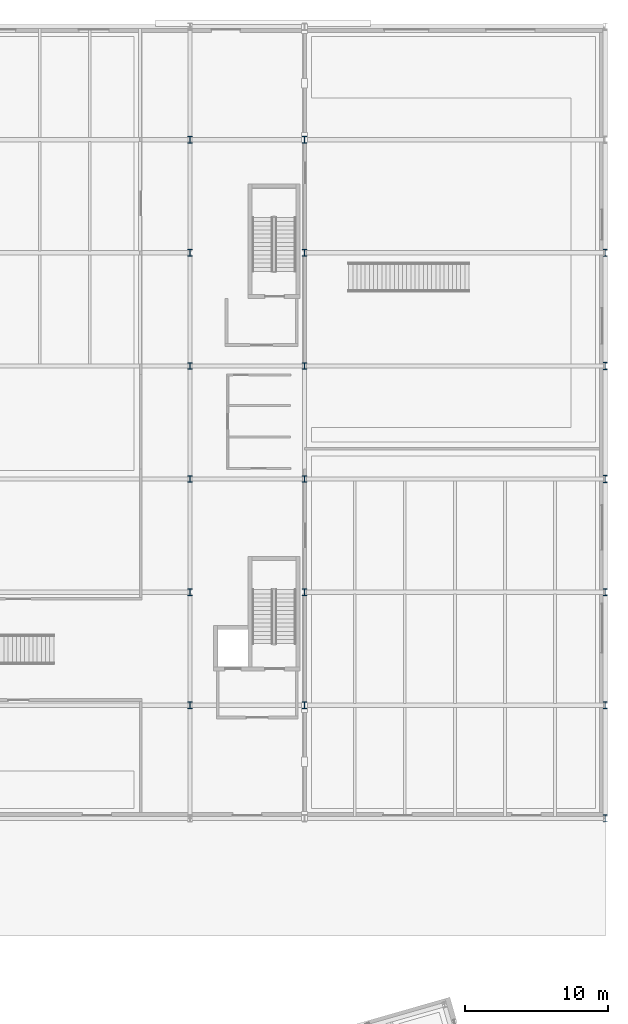
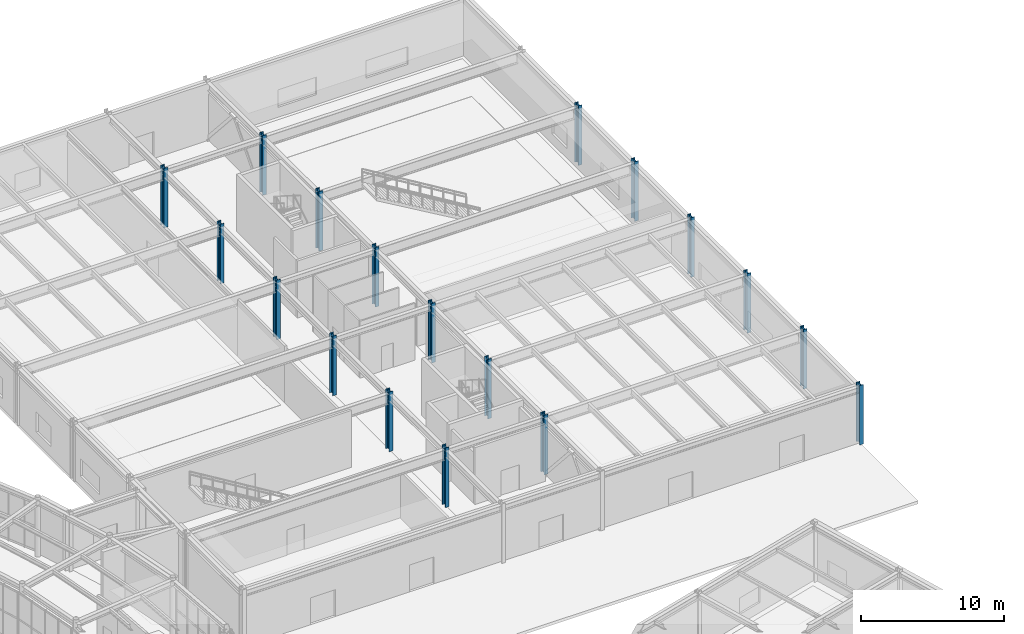
# One storey, part 16 of 97: 18 columns.
"""IFC4 building model written with IfcOpenShell, lengths in metres."""

from ifc_helpers import new_model, si_unit, direction, frame, origin, origin_2d, place, context, subcontext, project, spatial, i_section, extrude, material, material_profile, profile_set, type_object, element, save


model = new_model("IFC4")

# Units and contexts
model_context = context("Model", 3, precision=1e-05, world=origin(), true_north=direction((0.0, 1.0)))
body_context = subcontext(model_context, "Body", "Model", "MODEL_VIEW")
ifc_project = project(units=[si_unit("LENGTHUNIT", "METRE"), si_unit("AREAUNIT", "SQUARE_METRE"), si_unit("VOLUMEUNIT", "CUBIC_METRE"), si_unit("PLANEANGLEUNIT", "RADIAN"), si_unit("MASSUNIT", "GRAM", prefix="KILO")], contexts=[model_context])

# Site, building, storey
site_placement = place(None, origin())
site = spatial("IfcSite", under=ifc_project, at=site_placement, CompositionType="ELEMENT")
building_placement = place(site_placement, origin())
building = spatial("IfcBuilding", under=site, at=building_placement, Name="Varnklinge Art Gallery", CompositionType="ELEMENT")
storey_placement = place(building_placement, origin())
storey = spatial("IfcBuildingStorey", under=building, at=storey_placement, Name="L00", CompositionType="ELEMENT", Elevation=0.0)

# Columns
ifc_material_1 = material(Name="Steel S355", Category="steel")
ifc_material_profile_1 = material_profile(ifc_material_1, i_section(OverallWidth=0.306884765625, OverallDepth=0.47802734375, WebThickness=0.02099609375, FlangeThickness=0.0400390625, FilletRadius=0.027099609375, at=origin_2d()), Name="HEM 450")
ifc_profile_set_1 = profile_set([ifc_material_profile_1], Name="Steel S355")
column_type_1 = type_object("IfcColumnType", Name="COL-02", PredefinedType="COLUMN", material=ifc_profile_set_1)
for number, where, z_axis, x_axis, name in (
    (1, (135.39990234375, 66.10009765625, 0.0), (0.0, 0.0, 1.0), (1.0, 0.0, 0.0), "L00 Column V1C-2-2"),
    (2, (135.39990234375, 74.0, 0.0), (0.0, 0.0, 1.0), (1.0, 0.0, 0.0), "L00 Column V1C-2-3"),
    (3, (135.39990234375, 81.89990234375, 0.0), (0.0, 0.0, 1.0), (1.0, 0.0, 0.0), "L00 Column V1C-2-4"),
    (4, (135.39990234375, 89.800048828125, 0.0), (0.0, 0.0, 1.0), (1.0, 0.0, 0.0), "L00 Column V1C-2-5"),
    (5, (135.39990234375, 97.699951171875, 0.0), (0.0, 0.0, 1.0), (1.0, 0.0, 0.0), "L00 Column V1C-2-6"),
    (6, (135.39990234375, 105.60009765625, 0.0), (0.0, 0.0, 1.0), (1.0, 0.0, 0.0), "L00 Column V1C-2-7"),
    (7, (143.39990234375, 66.10009765625, 0.0), (0.0, 0.0, 1.0), (1.0, 0.0, 0.0), "L00 Column V1C-3-2"),
    (8, (143.39990234375, 74.0, 0.0), (0.0, 0.0, 1.0), (1.0, 0.0, 0.0), "L00 Column V1C-3-3"),
    (9, (143.39990234375, 81.89990234375, 0.0), (0.0, 0.0, 1.0), (1.0, 0.0, 0.0), "L00 Column V1C-3-4"),
    (10, (143.39990234375, 89.800048828125, 0.0), (0.0, 0.0, 1.0), (1.0, 0.0, 0.0), "L00 Column V1C-3-5"),
    (11, (143.39990234375, 97.699951171875, 0.0), (0.0, 0.0, 1.0), (1.0, 0.0, 0.0), "L00 Column V1C-3-6"),
    (12, (143.39990234375, 105.60009765625, 0.0), (0.0, 0.0, 1.0), (1.0, 0.0, 0.0), "L00 Column V1C-3-7"),
):
    element("IfcColumn", number, at=place(storey_placement, frame(where, z_axis=z_axis, x_axis=x_axis)), inside=storey, type_object=column_type_1, Name=name, PredefinedType="COLUMN", context=body_context, shape_type="SweptSolid", body=[
        extrude(i_section(OverallWidth=0.306884765625, OverallDepth=0.47802734375, WebThickness=0.02099609375, FlangeThickness=0.0400390625, FilletRadius=0.027099609375, at=origin_2d()), origin(), (0.0, 0.0, 1.0), 5.10009765625),
    ])
ifc_material_2 = material(Name="Steel S355", Category="steel")
ifc_material_profile_2 = material_profile(ifc_material_2, i_section(OverallWidth=0.300048828125, OverallDepth=0.5, WebThickness=0.014404296875, FlangeThickness=0.028076171875, FilletRadius=0.027099609375, at=origin_2d()), Name="HEB 500")
ifc_profile_set_2 = profile_set([ifc_material_profile_2], Name="Steel S355")
column_type_2 = type_object("IfcColumnType", Name="COL-E1", PredefinedType="COLUMN", material=ifc_profile_set_2)
for number, where, z_axis, x_axis, name in (
    (13, (164.39990234375, 58.199951171875, 0.0), (0.0, 0.0, 1.0), (1.0, 0.0, 0.0), "L00 Column V1C-4-1"),
    (14, (164.39990234375, 66.10009765625, 0.0), (0.0, 0.0, 1.0), (1.0, 0.0, 0.0), "L00 Column V1C-4-2"),
    (15, (164.39990234375, 74.0, 0.0), (0.0, 0.0, 1.0), (1.0, 0.0, 0.0), "L00 Column V1C-4-3"),
    (16, (164.39990234375, 81.89990234375, 0.0), (0.0, 0.0, 1.0), (1.0, 0.0, 0.0), "L00 Column V1C-4-4"),
    (17, (164.39990234375, 89.800048828125, 0.0), (0.0, 0.0, 1.0), (1.0, 0.0, 0.0), "L00 Column V1C-4-5"),
    (18, (164.39990234375, 97.699951171875, 0.0), (0.0, 0.0, 1.0), (1.0, 0.0, 0.0), "L00 Column V1C-4-6"),
):
    element("IfcColumn", number, at=place(storey_placement, frame(where, z_axis=z_axis, x_axis=x_axis)), inside=storey, type_object=column_type_2, Name=name, PredefinedType="COLUMN", context=body_context, shape_type="SweptSolid", body=[
        extrude(i_section(OverallWidth=0.300048828125, OverallDepth=0.5, WebThickness=0.014404296875, FlangeThickness=0.028076171875, FilletRadius=0.027099609375, at=origin_2d()), origin(), (0.0, 0.0, 1.0), 5.10009765625),
    ])

save(model, "model.ifc")
